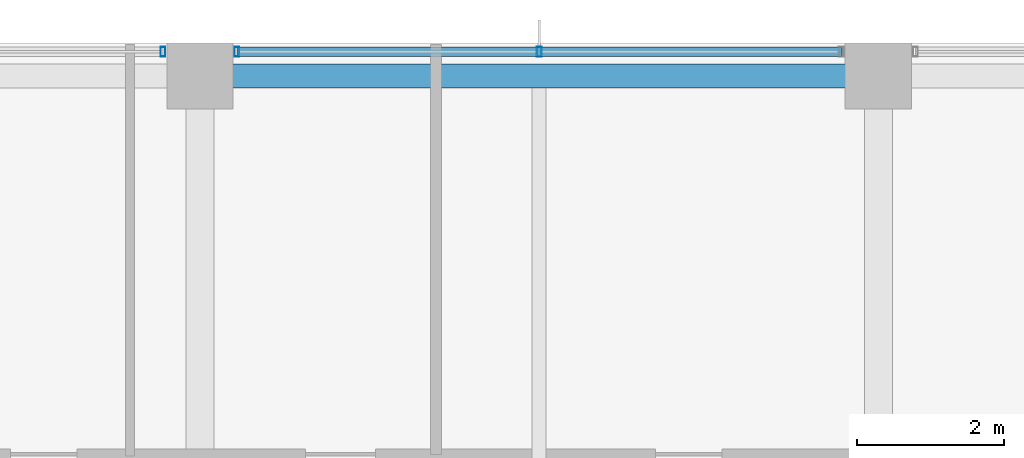
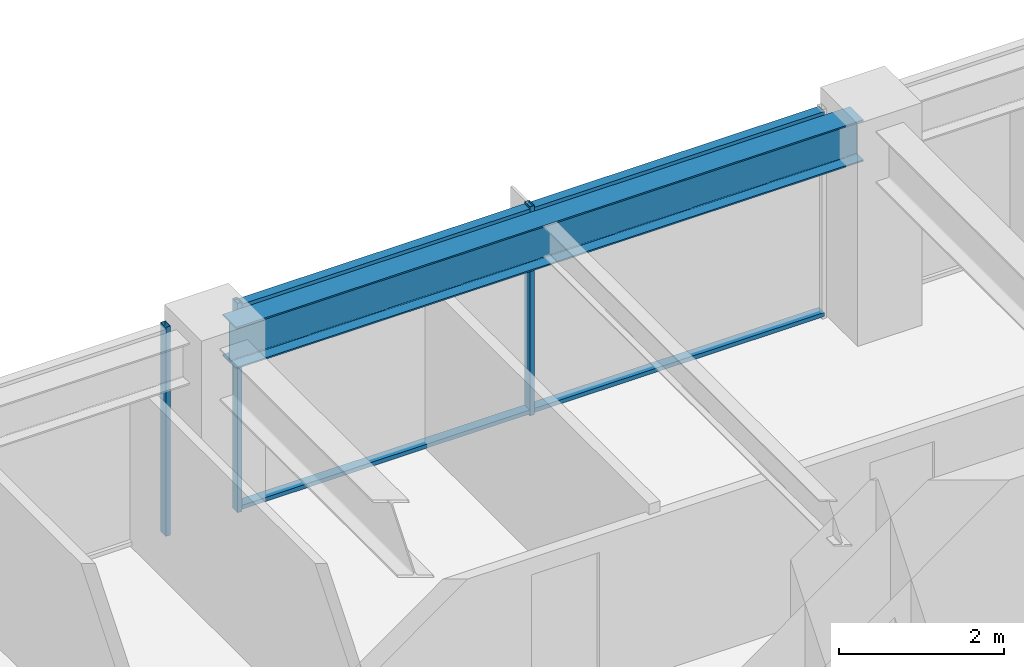
# One storey, part 19 of 32: 5 members, 1 beam, 2 elements without a shape of their own.
"""IFC4 building model written with IfcOpenShell, lengths in metres."""

from ifc_helpers import new_model, si_unit, direction, frame, origin, origin_2d, place, context, subcontext, project, spatial, hollow_rectangle, i_section, extrude, material, material_profile, profile_set, type_object, element, aggregate, save


model = new_model("IFC4")

# Units and contexts
model_context = context("Model", 3, precision=1e-05, world=origin(), true_north=direction((0.0, 1.0)))
body_context = subcontext(model_context, "Body", "Model", "MODEL_VIEW")
ifc_project = project(units=[si_unit("LENGTHUNIT", "METRE"), si_unit("AREAUNIT", "SQUARE_METRE"), si_unit("VOLUMEUNIT", "CUBIC_METRE"), si_unit("PLANEANGLEUNIT", "RADIAN"), si_unit("MASSUNIT", "GRAM", prefix="KILO")], contexts=[model_context])

# Site, building, storey
site_placement = place(None, origin())
site = spatial("IfcSite", under=ifc_project, at=site_placement, CompositionType="ELEMENT")
building_placement = place(site_placement, origin())
building = spatial("IfcBuilding", under=site, at=building_placement, Name="Kolvaren Belvedere", CompositionType="ELEMENT")
storey_placement = place(building_placement, frame((0.0, 0.0, 141.5)))
storey = spatial("IfcBuildingStorey", under=building, at=storey_placement, Name="L41", CompositionType="ELEMENT", Elevation=141.5)

# Beam
ifc_material_1 = material(Name="Structural steel ASTM A992 Grade 50", Category="steel")
ifc_material_profile_1 = material_profile(ifc_material_1, i_section(OverallWidth=0.324951171875, OverallDepth=0.615966796875, WebThickness=0.013916015625, FlangeThickness=0.021484375, FilletRadius=0.02001953125, at=origin_2d()), Name="W24X117")
ifc_profile_set_1 = profile_set([ifc_material_profile_1], Name="Structural steel ASTM A992 Grade 50")
beam_type = type_object("IfcBeamType", Name="BM-SPAN-W24X117", PredefinedType="SPANDREL", material=ifc_profile_set_1)
beam_placement = place(storey_placement, frame((4.3974609375, 17.550048828125, 2.7919921875), z_axis=(-1.0, 0.0, 0.0), x_axis=(0.0, -1.0, 0.0)))
element("IfcBeam", 1, at=beam_placement, inside=storey, type_object=beam_type, Name="L41 Perimeter Spandrel N3-N2", PredefinedType="SPANDREL", context=body_context, shape_type="SweptSolid", body=[
    extrude(i_section(OverallWidth=0.324951171875, OverallDepth=0.615966796875, WebThickness=0.013916015625, FlangeThickness=0.021484375, FilletRadius=0.02001953125, at=origin_2d()), origin(), (0.0, 0.0, 1.0), 8.794921875),
])

# Curtain wall, member
ifc_material_2 = material(Name="Anodised pale-metal aluminium AA 6063-T6", Category="aluminium")
curtain_wall_type = type_object("IfcCurtainWallType", Name="CW-Z3-WAIST", PredefinedType="NOTDEFINED", material=ifc_material_2)
curtain_wall_1_placement = place(storey_placement, origin())
curtain_wall_1 = element("IfcCurtainWall", 2, at=curtain_wall_1_placement, inside=storey, type_object=curtain_wall_type, Name="L41 Unitised Curtain Wall FCW-L41-N-B1", PredefinedType="NOTDEFINED")
ifc_material_3 = material(Name="Anodised pale-metal aluminium AA 6063-T6", Category="aluminium")
ifc_material_profile_2 = material_profile(ifc_material_3, hollow_rectangle(XDim=0.06494140625, YDim=0.1298828125, WallThickness=0.00390625, at=origin_2d()), Name="ALU-MUL-130X65")
ifc_profile_set_2 = profile_set([ifc_material_profile_2], Name="Anodised pale-metal aluminium AA 6063-T6")
member_type_1 = type_object("IfcMemberType", Name="CW-MUL-130", PredefinedType="MULLION", material=ifc_profile_set_2)
member_1_placement = place(storey_placement, frame((-5.1025390625, 17.8798828125, 0.0), z_axis=(0.0, 0.0, 1.0), x_axis=(1.0, 0.0, 0.0)))
member_1 = element("IfcMember", 3, at=member_1_placement, type_object=member_type_1, Name="FCW-L41-N-B1 Unitised Mullion 3", PredefinedType="MULLION", context=body_context, shape_type="SweptSolid", body=[
    extrude(hollow_rectangle(XDim=0.06494140625, YDim=0.1298828125, WallThickness=0.00390625, at=origin_2d()), origin(), (0.0, 0.0, 1.0), 3.10009765625),
])
aggregate(curtain_wall_1, [member_1])

# Curtain wall, members
curtain_wall_2_placement = place(storey_placement, origin())
curtain_wall_2 = element("IfcCurtainWall", 4, at=curtain_wall_2_placement, inside=storey, type_object=curtain_wall_type, Name="L41 Unitised Curtain Wall FCW-L41-N-B2", PredefinedType="NOTDEFINED")
member_2_placement = place(storey_placement, frame((-4.097412109375, 17.8798828125, 0.0), z_axis=(0.0, 0.0, 1.0), x_axis=(1.0, 0.0, 0.0)))
member_2 = element("IfcMember", 5, at=member_2_placement, type_object=member_type_1, Name="FCW-L41-N-B2 Unitised Mullion 1", PredefinedType="MULLION", context=body_context, shape_type="SweptSolid", body=[
    extrude(hollow_rectangle(XDim=0.06494140625, YDim=0.1298828125, WallThickness=0.00390625, at=origin_2d()), origin(), (0.0, 0.0, 1.0), 3.10009765625),
])
member_3_placement = place(storey_placement, frame((0.0, 17.8798828125, 0.0), z_axis=(0.0, 0.0, 1.0), x_axis=(1.0, 0.0, 0.0)))
member_3 = element("IfcMember", 6, at=member_3_placement, type_object=member_type_1, Name="FCW-L41-N-B2 Unitised Mullion 2", PredefinedType="MULLION", context=body_context, shape_type="SweptSolid", body=[
    extrude(hollow_rectangle(XDim=0.06494140625, YDim=0.1298828125, WallThickness=0.00390625, at=origin_2d()), origin(), (0.0, 0.0, 1.0), 3.10009765625),
])
ifc_material_4 = material(Name="Anodised pale-metal aluminium AA 6063-T6", Category="aluminium")
ifc_material_profile_3 = material_profile(ifc_material_4, hollow_rectangle(XDim=0.06005859375, YDim=0.1298828125, WallThickness=0.00390625, at=origin_2d()), Name="ALU-TRN-130X60")
ifc_profile_set_3 = profile_set([ifc_material_profile_3], Name="Anodised pale-metal aluminium AA 6063-T6")
member_type_2 = type_object("IfcMemberType", Name="CW-TRN-130", PredefinedType="USERDEFINED", material=ifc_profile_set_3)
member_4_placement = place(storey_placement, frame((-4.097412109375, 17.8798828125, 0.06005859375), z_axis=(1.0, 0.0, 0.0), x_axis=(0.0, 0.0, 1.0)))
member_4 = element("IfcMember", 7, at=member_4_placement, type_object=member_type_2, Name="FCW-L41-N-B2 Sill Transom", ObjectType="TRANSOM", PredefinedType="USERDEFINED", context=body_context, shape_type="SweptSolid", body=[
    extrude(hollow_rectangle(XDim=0.06005859375, YDim=0.1298828125, WallThickness=0.00390625, at=origin_2d()), origin(), (0.0, 0.0, 1.0), 8.19482421875),
])
member_5_placement = place(storey_placement, frame((-4.097412109375, 17.8798828125, 3.0400390625), z_axis=(1.0, 0.0, 0.0), x_axis=(0.0, 0.0, 1.0)))
member_5 = element("IfcMember", 8, at=member_5_placement, type_object=member_type_2, Name="FCW-L41-N-B2 Head Transom", ObjectType="TRANSOM", PredefinedType="USERDEFINED", context=body_context, shape_type="SweptSolid", body=[
    extrude(hollow_rectangle(XDim=0.06005859375, YDim=0.1298828125, WallThickness=0.00390625, at=origin_2d()), origin(), (0.0, 0.0, 1.0), 8.19482421875),
])
aggregate(curtain_wall_2, [member_2, member_3, member_4, member_5])

save(model, "model.ifc")
